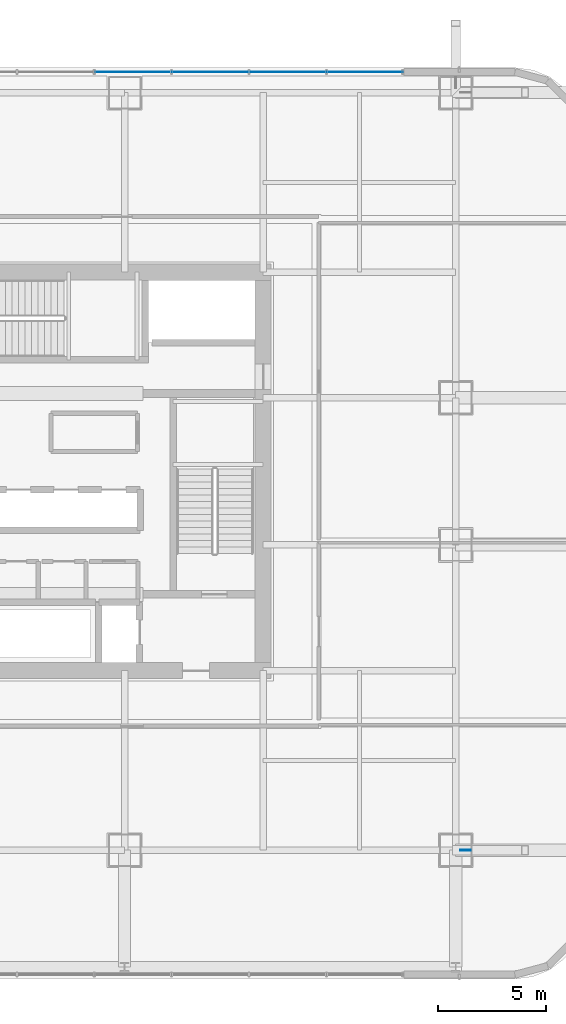
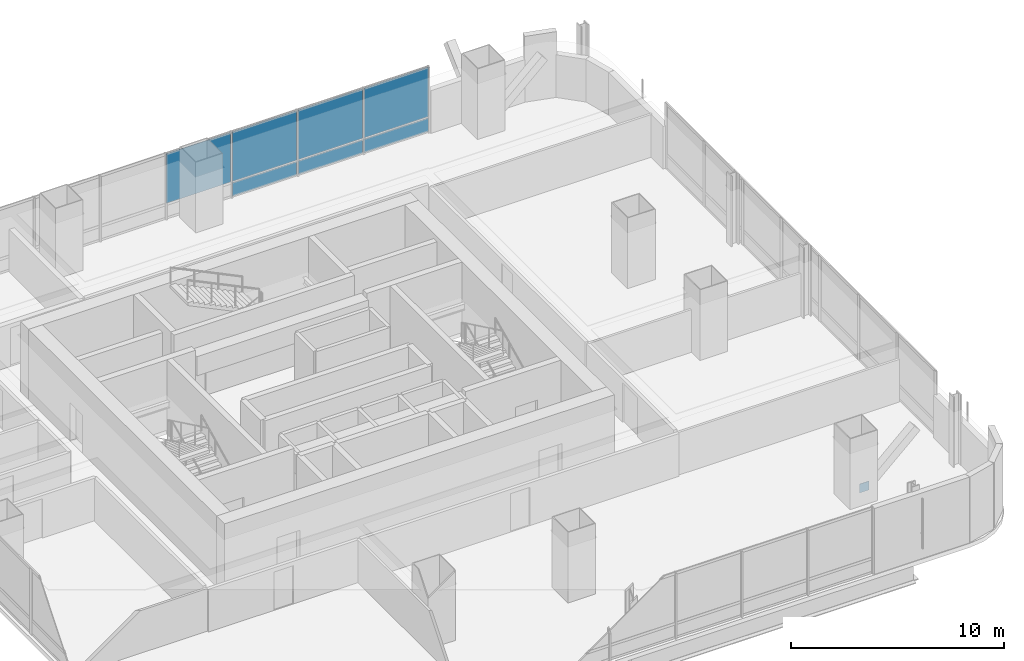
# One storey, part 26 of 42: 8 plates, 1 element without a shape of its own.
"""IFC4 building model written with IfcOpenShell, lengths in metres."""

import ifcopenshell
import ifcopenshell.guid

model = None  # the IFC model being written
_history = None  # IfcOwnerHistory: only IFC2X3 demands one
_inside = {}  # id of a spatial element -> (the spatial element, [elements in it])
_under = {}  # id of a project, library or spatial element -> (it, [spatial elements below it])
_declared = {}  # id of a project -> (the project, [libraries it declares])
_typed = {}  # id of a type object -> (the type object, [elements of that type])
_made_of = {}  # id of a material, layer set ... -> (it, [elements and type objects made of it])


def new_model(schema):
    """Start an empty IFC model of exactly this schema.

    Asked for "IFC4X3", IfcOpenShell would pick the latest addendum, in which some entities
    have other attributes; the version numbers below select the first issue.
    IFC2X3 requires an IfcOwnerHistory on every rooted entity: one is made here for all.
    """
    global model, _history
    if schema == "IFC4X3":
        model = ifcopenshell.file(schema_version=(4, 3, 0, 0))
    else:
        model = ifcopenshell.file(schema=schema)
    _inside.clear()
    _under.clear()
    _declared.clear()
    _typed.clear()
    _made_of.clear()
    _history = None
    if model.schema == "IFC2X3":
        org = make("IfcOrganization", Name="unknown")
        user = make(
            "IfcPersonAndOrganization",
            ThePerson=make("IfcPerson", FamilyName="unknown"),
            TheOrganization=org,
        )
        app = make(
            "IfcApplication",
            ApplicationDeveloper=org,
            Version="unknown",
            ApplicationFullName="unknown",
            ApplicationIdentifier="unknown",
        )
        _history = make(
            "IfcOwnerHistory",
            OwningUser=user,
            OwningApplication=app,
            ChangeAction="ADDED",
            CreationDate=0,
        )
    return model


def make(cls, **values):
    """One entity of the class cls with the attributes given. An attribute that is None is left unset."""
    return model.create_entity(
        cls, **{name: value for name, value in values.items() if value is not None}
    )


def rooted(cls, **values):
    """An entity with a GlobalId (a new one), such as an element, a storey or a relation."""
    return make(cls, GlobalId=ifcopenshell.guid.new(), OwnerHistory=_history, **values)


def si_unit(unit_type, name, prefix=None):
    """IfcSIUnit, for example si_unit("LENGTHUNIT", "METRE", prefix="MILLI")."""
    return make("IfcSIUnit", UnitType=unit_type, Prefix=prefix, Name=name)


def assignment(units):
    """IfcUnitAssignment: the units of a project."""
    return None if units is None else make("IfcUnitAssignment", Units=units)


def point(xyz):
    """IfcCartesianPoint."""
    return None if xyz is None else make("IfcCartesianPoint", Coordinates=xyz)


def direction(xyz):
    """IfcDirection."""
    return None if xyz is None else make("IfcDirection", DirectionRatios=xyz)


def frame(location, z_axis=None, x_axis=None):
    """IfcAxis2Placement3D, a coordinate frame: its origin and axes. An axis left out is left unset."""
    return make(
        "IfcAxis2Placement3D",
        Location=point(location),
        Axis=direction(z_axis),
        RefDirection=direction(x_axis),
    )


def frame_2d(location, x_axis=None):
    """IfcAxis2Placement2D, a coordinate frame in the plane: its origin and x axis."""
    return make(
        "IfcAxis2Placement2D", Location=point(location), RefDirection=direction(x_axis)
    )


def origin():
    """The frame at (0, 0, 0) with its axes left unset."""
    return frame((0.0, 0.0, 0.0))


def origin_2d():
    """The frame at (0, 0) in the plane with its x axis left unset."""
    return frame_2d((0.0, 0.0))


def place(relative_to, where):
    """IfcLocalPlacement: puts the frame where relative to a parent placement (None: the world)."""
    return make(
        "IfcLocalPlacement", PlacementRelTo=relative_to, RelativePlacement=where
    )


def context(
    kind, dimensions, precision=None, world=None, true_north=None, identifier=None
):
    """IfcGeometricRepresentationContext, for example the 3D "Model" context."""
    return make(
        "IfcGeometricRepresentationContext",
        ContextIdentifier=identifier,
        ContextType=kind,
        CoordinateSpaceDimension=dimensions,
        Precision=precision,
        WorldCoordinateSystem=world,
        TrueNorth=true_north,
    )


def subcontext(parent, identifier, kind, view, scale=None):
    """IfcGeometricRepresentationSubContext, for example "Body" below "Model"."""
    return make(
        "IfcGeometricRepresentationSubContext",
        ContextIdentifier=identifier,
        ContextType=kind,
        ParentContext=parent,
        TargetScale=scale,
        TargetView=view,
    )


def project(units=None, contexts=None):
    """IfcProject with its units and contexts."""
    return rooted(
        "IfcProject",
        Name="project",
        RepresentationContexts=contexts,
        UnitsInContext=assignment(units),
    )


def spatial(cls, under=None, at=None, **own):
    """A site, building, storey or space (cls), placed at a placement, below another one or the project."""
    s = rooted(cls, ObjectPlacement=at, **own)
    if under is not None:
        _under.setdefault(under.id(), (under, []))[1].append(s)
    return s


def profile(cls, at=None, kind="AREA", **sizes):
    """A parametric profile (cls). Its sizes go by their IFC names, for example OverallWidth=200.0."""
    return make(cls, ProfileType=kind, Position=at, **sizes)


def rectangle(**sizes):
    """IfcRectangleProfileDef."""
    return profile("IfcRectangleProfileDef", **sizes)


def extrude(swept, where, along, depth):
    """IfcExtrudedAreaSolid: the profile swept, set in the frame where, extruded along a direction by depth."""
    return make(
        "IfcExtrudedAreaSolid",
        SweptArea=swept,
        Position=where,
        ExtrudedDirection=direction(along),
        Depth=depth,
    )


def shape(context_of_items, identifier, shape_type, items):
    """IfcShapeRepresentation: the items that make up one representation, for example the "Body"."""
    return make(
        "IfcShapeRepresentation",
        ContextOfItems=context_of_items,
        RepresentationIdentifier=identifier,
        RepresentationType=shape_type,
        Items=items,
    )


def material(Name=None, Category=None):
    """IfcMaterial."""
    return make("IfcMaterial", Name=Name, Category=Category)


def layer(
    of_material, thickness, ventilated=None, Name=None, Category=None, Priority=None
):
    """IfcMaterialLayer: one layer of a wall or slab, of a material (None: an air gap)."""
    return make(
        "IfcMaterialLayer",
        Material=of_material,
        LayerThickness=thickness,
        IsVentilated=ventilated,
        Name=Name,
        Category=Category,
        Priority=Priority,
    )


def layer_set(layers, Name=None):
    """IfcMaterialLayerSet."""
    return make("IfcMaterialLayerSet", MaterialLayers=layers, LayerSetName=Name)


def made_of(thing, what):
    """Note that an element or type object is made of a material, layer set ...; save() writes the relation."""
    if what is not None:
        _made_of.setdefault(what.id(), (what, []))[1].append(thing)
    return thing


def type_object(cls, material=None, **own):
    """A type object (cls), such as IfcWallType, which elements share."""
    return made_of(rooted(cls, **own), material)


def element(
    cls,
    number,
    at=None,
    inside=None,
    cuts=None,
    type_object=None,
    material=None,
    context=None,
    identifier="Body",
    shape_type=None,
    held_by="IfcProductDefinitionShape",
    body=None,
    shapes=None,
    **own,
):
    """One element of the class cls, such as IfcWall. Its Tag is "e" and its number.

    at: its placement. inside: the storey or other place that contains it. cuts: it is an
    opening in that element (IfcRelVoidsElement). A single representation is given by context,
    identifier, shape_type and body (its items); several are given by shapes. held_by: the class
    of the entity that holds the representations. save() writes the other relations.
    """
    e = rooted(cls, Tag="e%d" % number, ObjectPlacement=at, **own)
    if body is not None:
        shapes = [shape(context, identifier, shape_type, body)]
    if shapes is not None:
        e.Representation = make(held_by, Representations=shapes)
    if inside is not None:
        _inside.setdefault(inside.id(), (inside, []))[1].append(e)
    if cuts is not None:
        rooted(
            "IfcRelVoidsElement", RelatingBuildingElement=cuts, RelatedOpeningElement=e
        )
    if type_object is not None:
        _typed.setdefault(type_object.id(), (type_object, []))[1].append(e)
    return made_of(e, material)


def aggregate(whole, parts):
    """IfcRelAggregates: a whole, such as a stair, and the parts it consists of."""
    return rooted("IfcRelAggregates", RelatingObject=whole, RelatedObjects=parts)


def save(model, path):
    """Write the relations noted so far, then the file.

    IfcRelAggregates (storeys below a building ...), IfcRelContainedInSpatialStructure (elements
    in a storey), IfcRelDefinesByType, IfcRelAssociatesMaterial and IfcRelDeclares: one each for
    every whole, place, type object, material and project.
    """
    for whole, parts in _under.values():
        aggregate(whole, parts)
    for where, things in _inside.values():
        rooted(
            "IfcRelContainedInSpatialStructure",
            RelatedElements=things,
            RelatingStructure=where,
        )
    for kind, things in _typed.values():
        rooted("IfcRelDefinesByType", RelatedObjects=things, RelatingType=kind)
    for what, things in _made_of.values():
        rooted("IfcRelAssociatesMaterial", RelatedObjects=things, RelatingMaterial=what)
    for by, libraries in _declared.values():
        rooted("IfcRelDeclares", RelatingContext=by, RelatedDefinitions=libraries)
    model.write(path)


model = new_model("IFC4")

# Units and contexts
model_context = context("Model", 3, precision=1e-05, world=origin(), true_north=direction((0.0, 1.0)))
body_context = subcontext(model_context, "Body", "Model", "MODEL_VIEW")
ifc_project = project(units=[si_unit("LENGTHUNIT", "METRE"), si_unit("AREAUNIT", "SQUARE_METRE"), si_unit("VOLUMEUNIT", "CUBIC_METRE"), si_unit("PLANEANGLEUNIT", "RADIAN"), si_unit("MASSUNIT", "GRAM", prefix="KILO")], contexts=[model_context])

# Site, building, storey
site_placement = place(None, origin())
site = spatial("IfcSite", under=ifc_project, at=site_placement, CompositionType="ELEMENT")
building_placement = place(site_placement, origin())
building = spatial("IfcBuilding", under=site, at=building_placement, Name="Punatoya Terracotta Tower", CompositionType="ELEMENT")
storey_placement = place(building_placement, frame((0.0, 0.0, 88.949951171875)))
storey = spatial("IfcBuildingStorey", under=building, at=storey_placement, Name="L20", CompositionType="ELEMENT", Elevation=88.949951171875)

# Plate
ifc_material_1 = material(Name="Steel S460", Category="steel")
ifc_layer_1 = layer(ifc_material_1, 0.031982421875)
ifc_layer_set_1 = layer_set([ifc_layer_1], Name="Steel S460")
plate_type_1 = type_object("IfcPlateType", Name="PLT-END-32", PredefinedType="USERDEFINED", material=ifc_layer_set_1)
plate_1_placement = place(storey_placement, frame((19.548095703125, -17.5, 0.18310546875), z_axis=(0.0, 0.0, 1.0), x_axis=(1.0, 0.0, 0.0)))
element("IfcPlate", 1, at=plate_1_placement, inside=storey, type_object=plate_type_1, Name="L21 Knee-Strut Base Gusset Plate E1", ObjectType="FLANGE_PLATE", PredefinedType="USERDEFINED", context=body_context, shape_type="SweptSolid", body=[
    extrude(rectangle(XDim=0.5, YDim=0.031982421875, at=origin_2d()), origin(), (0.0, 0.0, 1.0), 0.5),
])

# Curtain wall, plates
ifc_material_2 = material(Name="Aluminium 6063-T6 + Double Low-E Glass", Category="aluminium")
curtain_wall_type = type_object("IfcCurtainWallType", Name="CW-M1", PredefinedType="NOTDEFINED", material=ifc_material_2)
curtain_wall_placement = place(storey_placement, origin())
curtain_wall = element("IfcCurtainWall", 2, at=curtain_wall_placement, inside=storey, type_object=curtain_wall_type, Name="L20 Curtain Wall CW-L20-N09-1", PredefinedType="NOTDEFINED")
ifc_material_3 = material(Name="Double Low-E Clear Vision Glass", Category="glass")
ifc_layer_2 = layer(ifc_material_3, 0.028076171875)
ifc_layer_set_2 = layer_set([ifc_layer_2], Name="Double Low-E Clear Vision Glass")
plate_type_2 = type_object("IfcPlateType", Name="PLT-GLZ-28", PredefinedType="CURTAIN_PANEL", material=ifc_layer_set_2)
plate_2_placement = place(storey_placement, frame((14.91259765625, 18.449951171875, 0.89013671875), z_axis=(0.0, 0.0, 1.0), x_axis=(-1.0, 0.0, 0.0)))
plate_2 = element("IfcPlate", 3, at=plate_2_placement, type_object=plate_type_2, Name="CW-L20-N09-1 Vision Glass Panel 1", PredefinedType="CURTAIN_PANEL", context=body_context, shape_type="SweptSolid", body=[
    extrude(rectangle(XDim=3.489990234375, YDim=0.028076171875, at=origin_2d()), origin(), (0.0, 0.0, 1.0), 2.840087890625),
])
plate_3_placement = place(storey_placement, frame((11.33740234375, 18.449951171875, 0.89013671875), z_axis=(0.0, 0.0, 1.0), x_axis=(-1.0, 0.0, 0.0)))
plate_3 = element("IfcPlate", 4, at=plate_3_placement, type_object=plate_type_2, Name="CW-L20-N09-1 Vision Glass Panel 2", PredefinedType="CURTAIN_PANEL", context=body_context, shape_type="SweptSolid", body=[
    extrude(rectangle(XDim=3.489990234375, YDim=0.028076171875, at=origin_2d()), origin(), (0.0, 0.0, 1.0), 2.840087890625),
])
plate_4_placement = place(storey_placement, frame((7.762451171875, 18.449951171875, 0.89013671875), z_axis=(0.0, 0.0, 1.0), x_axis=(-1.0, 0.0, 0.0)))
plate_4 = element("IfcPlate", 5, at=plate_4_placement, type_object=plate_type_2, Name="CW-L20-N09-1 Vision Glass Panel 3", PredefinedType="CURTAIN_PANEL", context=body_context, shape_type="SweptSolid", body=[
    extrude(rectangle(XDim=3.489990234375, YDim=0.028076171875, at=origin_2d()), origin(), (0.0, 0.0, 1.0), 2.840087890625),
])
plate_5_placement = place(storey_placement, frame((4.1875, 18.449951171875, 0.89013671875), z_axis=(0.0, 0.0, 1.0), x_axis=(-1.0, 0.0, 0.0)))
plate_5 = element("IfcPlate", 6, at=plate_5_placement, type_object=plate_type_2, Name="CW-L20-N09-1 Vision Glass Panel 4", PredefinedType="CURTAIN_PANEL", context=body_context, shape_type="SweptSolid", body=[
    extrude(rectangle(XDim=3.489990234375, YDim=0.028076171875, at=origin_2d()), origin(), (0.0, 0.0, 1.0), 2.840087890625),
])
ifc_material_4 = material(Name="Insulated Terracotta-Backed Spandrel Panel", Category="masonry")
ifc_layer_3 = layer(ifc_material_4, 0.044921875)
ifc_layer_set_3 = layer_set([ifc_layer_3], Name="Insulated Terracotta-Backed Spandrel Panel")
plate_type_3 = type_object("IfcPlateType", Name="PLT-SPN-45", PredefinedType="CURTAIN_PANEL", material=ifc_layer_set_3)
plate_6_placement = place(storey_placement, frame((14.91259765625, 18.449951171875, 0.0400390625), z_axis=(0.0, 0.0, 1.0), x_axis=(-1.0, 0.0, 0.0)))
plate_6 = element("IfcPlate", 7, at=plate_6_placement, type_object=plate_type_3, Name="CW-L20-N09-1 Terracotta Spandrel Panel 1", PredefinedType="CURTAIN_PANEL", context=body_context, shape_type="SweptSolid", body=[
    extrude(rectangle(XDim=3.489990234375, YDim=0.044921875, at=origin_2d()), origin(), (0.0, 0.0, 1.0), 0.77490234375),
])
plate_7_placement = place(storey_placement, frame((11.33740234375, 18.449951171875, 0.0400390625), z_axis=(0.0, 0.0, 1.0), x_axis=(-1.0, 0.0, 0.0)))
plate_7 = element("IfcPlate", 8, at=plate_7_placement, type_object=plate_type_3, Name="CW-L20-N09-1 Terracotta Spandrel Panel 2", PredefinedType="CURTAIN_PANEL", context=body_context, shape_type="SweptSolid", body=[
    extrude(rectangle(XDim=3.489990234375, YDim=0.044921875, at=origin_2d()), origin(), (0.0, 0.0, 1.0), 0.77490234375),
])
plate_8_placement = place(storey_placement, frame((7.762451171875, 18.449951171875, 0.0400390625), z_axis=(0.0, 0.0, 1.0), x_axis=(-1.0, 0.0, 0.0)))
plate_8 = element("IfcPlate", 9, at=plate_8_placement, type_object=plate_type_3, Name="CW-L20-N09-1 Terracotta Spandrel Panel 3", PredefinedType="CURTAIN_PANEL", context=body_context, shape_type="SweptSolid", body=[
    extrude(rectangle(XDim=3.489990234375, YDim=0.044921875, at=origin_2d()), origin(), (0.0, 0.0, 1.0), 0.77490234375),
])
aggregate(curtain_wall, [plate_6, plate_2, plate_7, plate_3, plate_8, plate_4, plate_5])

save(model, "model.ifc")
